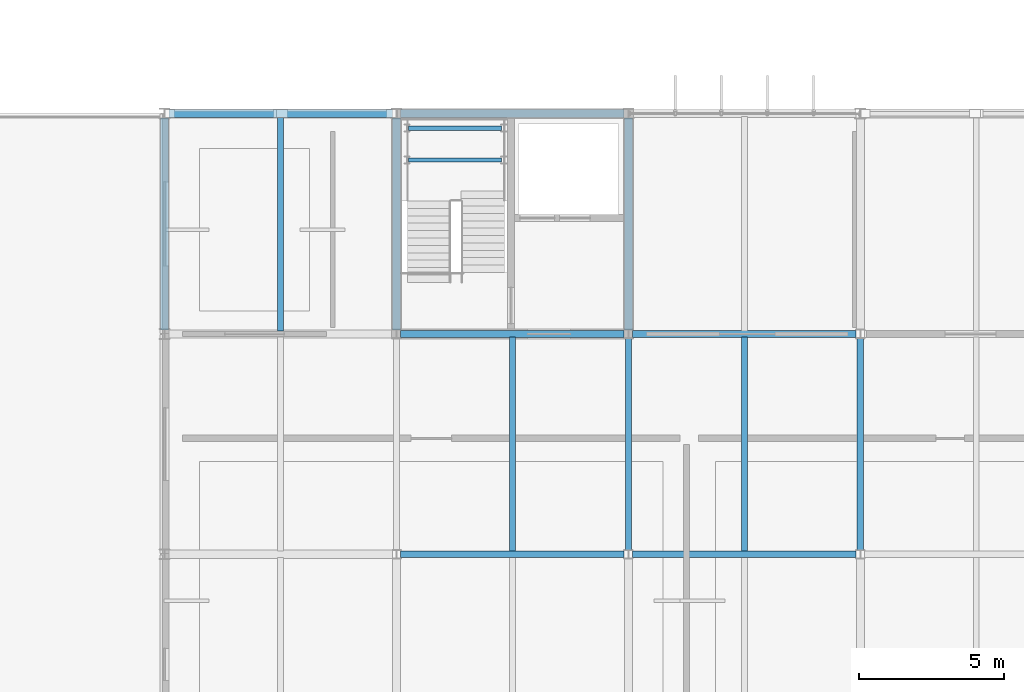
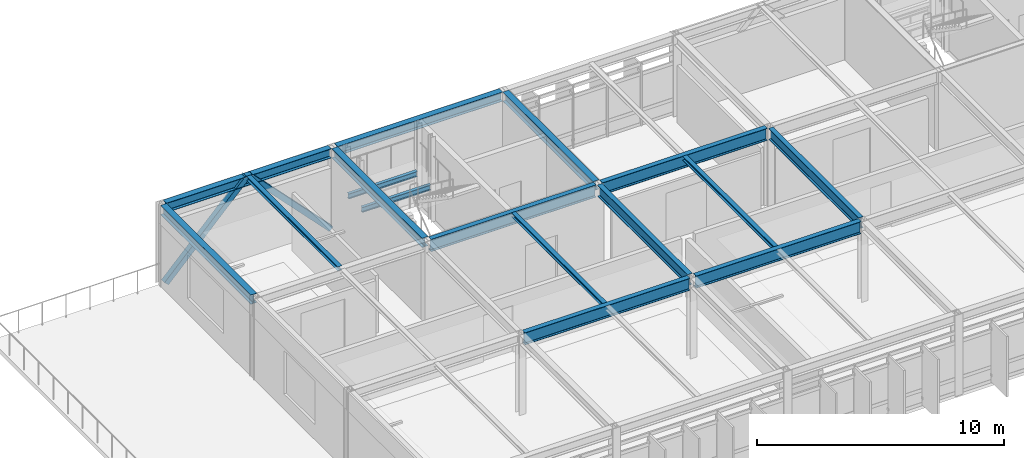
# One storey, part 13 of 45: 16 beams, 2 members.
"""IFC4 building model written with IfcOpenShell, lengths in metres."""

from ifc_helpers import new_model, si_unit, direction, frame, origin, origin_2d, place, context, subcontext, project, spatial, hollow_rectangle, i_section, extrude, material, material_profile, profile_set, type_object, element, save


model = new_model("IFC4")

# Units and contexts
model_context = context("Model", 3, precision=1e-05, world=origin(), true_north=direction((0.0, 1.0)))
body_context = subcontext(model_context, "Body", "Model", "MODEL_VIEW")
ifc_project = project(units=[si_unit("LENGTHUNIT", "METRE"), si_unit("AREAUNIT", "SQUARE_METRE"), si_unit("VOLUMEUNIT", "CUBIC_METRE"), si_unit("PLANEANGLEUNIT", "RADIAN"), si_unit("MASSUNIT", "GRAM", prefix="KILO")], contexts=[model_context])

# Site, building, storey
site_placement = place(None, origin())
site = spatial("IfcSite", under=ifc_project, at=site_placement, CompositionType="ELEMENT")
building_placement = place(site_placement, origin())
building = spatial("IfcBuilding", under=site, at=building_placement, Name="Zulena Civic Courthouse", CompositionType="ELEMENT")
storey_placement = place(building_placement, frame((0.0, 0.0, 29.39990234375)))
storey = spatial("IfcBuildingStorey", under=building, at=storey_placement, Name="L06", CompositionType="ELEMENT", Elevation=29.39990234375)

# Members
ifc_material_1 = material(Name="Steel ASTM A500 Grade C", Category="steel")
ifc_material_profile_1 = material_profile(ifc_material_1, hollow_rectangle(XDim=0.25390625, YDim=0.25390625, WallThickness=0.01171875, at=origin_2d()), Name="HSS10X10X1/2")
ifc_profile_set_1 = profile_set([ifc_material_profile_1], Name="Steel ASTM A500 Grade C")
member_type = type_object("IfcMemberType", Name="Brace_HSS10", PredefinedType="BRACE", material=ifc_profile_set_1)
for number, where, z_axis, x_axis, name in (
    (1, (12.14990234375, 22.800048828125, 0.010009765625), (0.693277822184, 0.0, 0.72067042486), (0.0, 1.0, 0.0), "brace:V2:L06:0:0"),
    (2, (19.85009765625, 22.800048828125, 0.010009765625), (-0.693277822184, 0.0, 0.72067042486), (0.0, -1.0, 0.0), "brace:V2:L06:0:1"),
):
    element("IfcMember", number, at=place(storey_placement, frame(where, z_axis=z_axis, x_axis=x_axis)), inside=storey, type_object=member_type, Name=name, PredefinedType="BRACE", context=body_context, shape_type="SweptSolid", body=[
        extrude(hollow_rectangle(XDim=0.25390625, YDim=0.25390625, WallThickness=0.01171875, at=origin_2d()), origin(), (0.0, 0.0, 1.0), 5.481201171875),
    ])

# Beams
ifc_material_2 = material(Name="Steel ASTM A992 Grade 50", Category="steel")
ifc_material_profile_2 = material_profile(ifc_material_2, i_section(OverallWidth=0.214111328125, OverallDepth=0.549072265625, WebThickness=0.0146484375, FlangeThickness=0.023681640625, FilletRadius=0.0126953125, at=origin_2d()), Name="W21X93")
ifc_profile_set_2 = profile_set([ifc_material_profile_2], Name="Steel ASTM A992 Grade 50")
beam_type_1 = type_object("IfcBeamType", Name="Girder_W21X93", PredefinedType="BEAM", material=ifc_profile_set_2)
for number, where, z_axis, x_axis, name in (
    (3, (28.0, 7.7451171875, 3.7255859375), (0.0, 1.0, 0.0), (-1.0, 0.0, 0.0), "beam:Y:V2:L06:28.0:7.6_15.2"),
    (4, (36.0, 7.7451171875, 3.7255859375), (0.0, 1.0, 0.0), (-1.0, 0.0, 0.0), "beam:Y:V2:L06:36.0:7.6_15.2"),
):
    element("IfcBeam", number, at=place(storey_placement, frame(where, z_axis=z_axis, x_axis=x_axis)), inside=storey, type_object=beam_type_1, Name=name, PredefinedType="BEAM", context=body_context, shape_type="SweptSolid", body=[
        extrude(i_section(OverallWidth=0.214111328125, OverallDepth=0.549072265625, WebThickness=0.0146484375, FlangeThickness=0.023681640625, FilletRadius=0.0126953125, at=origin_2d()), origin(), (0.0, 0.0, 1.0), 7.309814453125),
    ])
ifc_material_profile_3 = material_profile(ifc_material_2, i_section(OverallWidth=0.22802734375, OverallDepth=0.60693359375, WebThickness=0.01123046875, FlangeThickness=0.017333984375, FilletRadius=0.0126953125, at=origin_2d()), Name="W24X76")
ifc_profile_set_3 = profile_set([ifc_material_profile_3], Name="Steel ASTM A992 Grade 50")
beam_type_2 = type_object("IfcBeamType", Name="Girder_W24X76", PredefinedType="BEAM", material=ifc_profile_set_3)
for number, where, z_axis, x_axis, name in (
    (5, (20.14501953125, 7.60009765625, 3.696533203125), (1.0, 0.0, 0.0), (0.0, 1.0, 0.0), "beam:X:V2:L06:7.6:20.0_28.0"),
    (6, (28.14501953125, 7.60009765625, 3.696533203125), (1.0, 0.0, 0.0), (0.0, 1.0, 0.0), "beam:X:V2:L06:7.6:28.0_36.0"),
    (7, (20.14501953125, 15.199951171875, 3.696533203125), (1.0, 0.0, 0.0), (0.0, 1.0, 0.0), "beam:X:V2:L06:15.2:20.0_28.0"),
    (8, (28.14501953125, 15.199951171875, 3.696533203125), (1.0, 0.0, 0.0), (0.0, 1.0, 0.0), "beam:X:V2:L06:15.2:28.0_36.0"),
):
    element("IfcBeam", number, at=place(storey_placement, frame(where, z_axis=z_axis, x_axis=x_axis)), inside=storey, type_object=beam_type_2, Name=name, PredefinedType="BEAM", context=body_context, shape_type="SweptSolid", body=[
        extrude(i_section(OverallWidth=0.22802734375, OverallDepth=0.60693359375, WebThickness=0.01123046875, FlangeThickness=0.017333984375, FilletRadius=0.0126953125, at=origin_2d()), origin(), (0.0, 0.0, 1.0), 7.7099609375),
    ])
ifc_material_profile_4 = material_profile(ifc_material_2, i_section(OverallWidth=0.14599609375, OverallDepth=0.258056640625, WebThickness=0.006103515625, FlangeThickness=0.009033203125, FilletRadius=0.007568359375, at=origin_2d()), Name="W10X22")
ifc_profile_set_4 = profile_set([ifc_material_profile_4], Name="Steel ASTM A992 Grade 50")
beam_type_3 = type_object("IfcBeamType", Name="Joist_W10X22", PredefinedType="JOIST", material=ifc_profile_set_4)
for number, where, z_axis, x_axis, name in (
    (9, (20.419921875, 21.199951171875, 1.691162109375), (1.0, 0.0, 0.0), (0.0, 1.0, 0.0), "beam:lnd:K2A:L06:0"),
    (10, (20.419921875, 22.300048828125, 1.691162109375), (1.0, 0.0, 0.0), (0.0, 1.0, 0.0), "beam:lnd:K2A:L06:1"),
):
    element("IfcBeam", number, at=place(storey_placement, frame(where, z_axis=z_axis, x_axis=x_axis)), inside=storey, type_object=beam_type_3, Name=name, PredefinedType="JOIST", context=body_context, shape_type="SweptSolid", body=[
        extrude(i_section(OverallWidth=0.14599609375, OverallDepth=0.258056640625, WebThickness=0.006103515625, FlangeThickness=0.009033203125, FilletRadius=0.007568359375, at=origin_2d()), origin(), (0.0, 0.0, 1.0), 3.2001953125),
    ])
ifc_material_profile_5 = material_profile(ifc_material_2, i_section(OverallWidth=0.202880859375, OverallDepth=0.202880859375, WebThickness=0.007080078125, FlangeThickness=0.010986328125, FilletRadius=0.007568359375, at=origin_2d()), Name="W8X31")
ifc_profile_set_5 = profile_set([ifc_material_profile_5], Name="Steel ASTM A992 Grade 50")
beam_type_4 = type_object("IfcBeamType", Name="Joist_W8X31", PredefinedType="JOIST", material=ifc_profile_set_5)
beam_placement = place(storey_placement, frame((16.0, 15.304931640625, 3.898681640625), z_axis=(0.0, 1.0, 0.0), x_axis=(-1.0, 0.0, 0.0)))
element("IfcBeam", 11, at=beam_placement, inside=storey, type_object=beam_type_4, Name="joist:V2:L06:16.00:15.2_22.8", PredefinedType="JOIST", context=body_context, shape_type="SweptSolid", body=[
    extrude(i_section(OverallWidth=0.202880859375, OverallDepth=0.202880859375, WebThickness=0.007080078125, FlangeThickness=0.010986328125, FilletRadius=0.007568359375, at=origin_2d()), origin(), (0.0, 0.0, 1.0), 7.39013671875),
])
for number, where, z_axis, x_axis, name in (
    (12, (24.0, 7.705078125, 3.898681640625), (0.0, 1.0, 0.0), (-1.0, 0.0, 0.0), "joist:V2:L06:24.00:7.6_15.2"),
    (13, (32.0, 7.705078125, 3.898681640625), (0.0, 1.0, 0.0), (-1.0, 0.0, 0.0), "joist:V2:L06:32.00:7.6_15.2"),
):
    element("IfcBeam", number, at=place(storey_placement, frame(where, z_axis=z_axis, x_axis=x_axis)), inside=storey, type_object=beam_type_4, Name=name, PredefinedType="JOIST", context=body_context, shape_type="SweptSolid", body=[
        extrude(i_section(OverallWidth=0.202880859375, OverallDepth=0.202880859375, WebThickness=0.007080078125, FlangeThickness=0.010986328125, FilletRadius=0.007568359375, at=origin_2d()), origin(), (0.0, 0.0, 1.0), 7.389892578125),
    ])
ifc_material_profile_6 = material_profile(ifc_material_2, i_section(OverallWidth=0.280029296875, OverallDepth=0.462890625, WebThickness=0.0107421875, FlangeThickness=0.017333984375, FilletRadius=0.01025390625, at=origin_2d()), Name="W18X76")
ifc_profile_set_6 = profile_set([ifc_material_profile_6], Name="Steel ASTM A992 Grade 50")
beam_type_5 = type_object("IfcBeamType", Name="Spandrel_W18X76", PredefinedType="SPANDREL", material=ifc_profile_set_6)
for number, where, z_axis, x_axis, name in (
    (14, (12.14501953125, 22.800048828125, 3.7685546875), (1.0, 0.0, 0.0), (0.0, 1.0, 0.0), "beam:X:V2:L06:22.8:12.0_20.0"),
    (15, (20.14501953125, 22.800048828125, 3.7685546875), (1.0, 0.0, 0.0), (0.0, 1.0, 0.0), "beam:X:V2:L06:22.8:20.0_28.0"),
):
    element("IfcBeam", number, at=place(storey_placement, frame(where, z_axis=z_axis, x_axis=x_axis)), inside=storey, type_object=beam_type_5, Name=name, PredefinedType="SPANDREL", context=body_context, shape_type="SweptSolid", body=[
        extrude(i_section(OverallWidth=0.280029296875, OverallDepth=0.462890625, WebThickness=0.0107421875, FlangeThickness=0.017333984375, FilletRadius=0.01025390625, at=origin_2d()), origin(), (0.0, 0.0, 1.0), 7.7099609375),
    ])
for number, where, z_axis, x_axis, name in (
    (16, (12.0, 15.344970703125, 3.7685546875), (0.0, 1.0, 0.0), (-1.0, 0.0, 0.0), "beam:Y:V2:L06:12.0:15.2_22.8"),
    (17, (20.0, 15.344970703125, 3.7685546875), (0.0, 1.0, 0.0), (-1.0, 0.0, 0.0), "beam:Y:V2:L06:20.0:15.2_22.8"),
    (18, (28.0, 15.344970703125, 3.7685546875), (0.0, 1.0, 0.0), (-1.0, 0.0, 0.0), "beam:Y:V2:L06:28.0:15.2_22.8"),
):
    element("IfcBeam", number, at=place(storey_placement, frame(where, z_axis=z_axis, x_axis=x_axis)), inside=storey, type_object=beam_type_5, Name=name, PredefinedType="SPANDREL", context=body_context, shape_type="SweptSolid", body=[
        extrude(i_section(OverallWidth=0.280029296875, OverallDepth=0.462890625, WebThickness=0.0107421875, FlangeThickness=0.017333984375, FilletRadius=0.01025390625, at=origin_2d()), origin(), (0.0, 0.0, 1.0), 7.31005859375),
    ])

save(model, "model.ifc")
